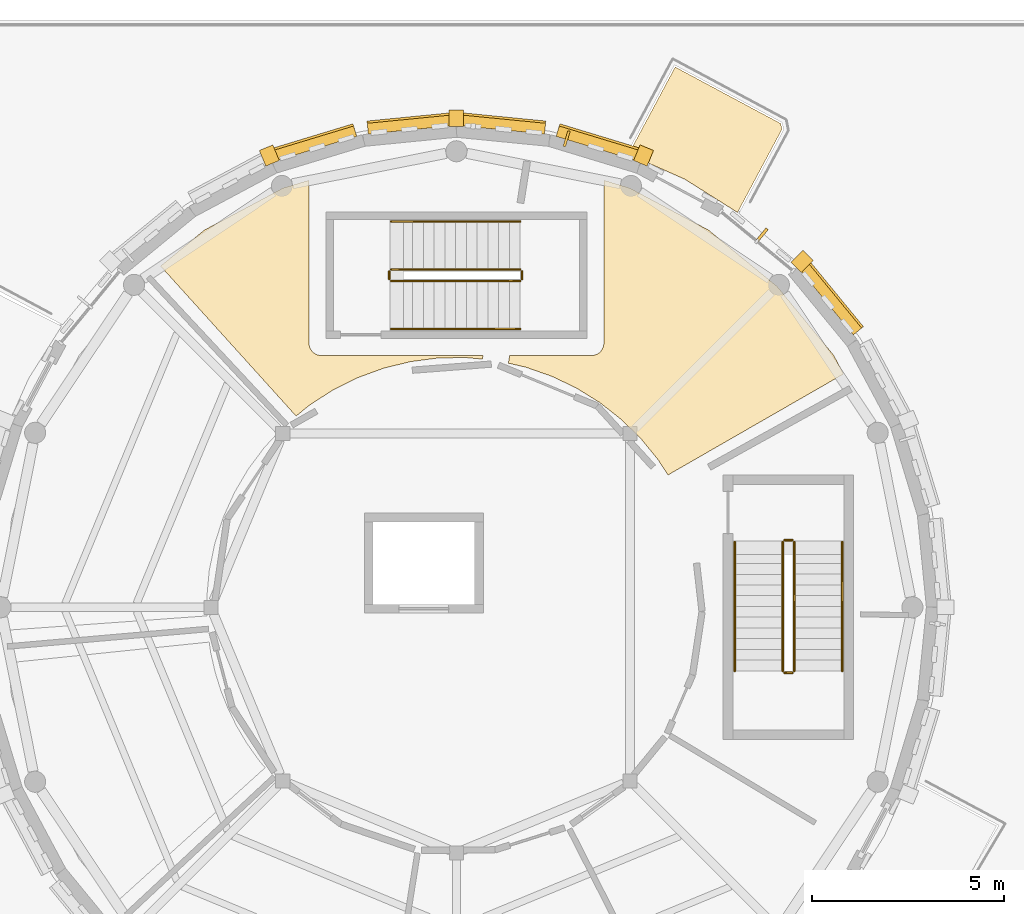
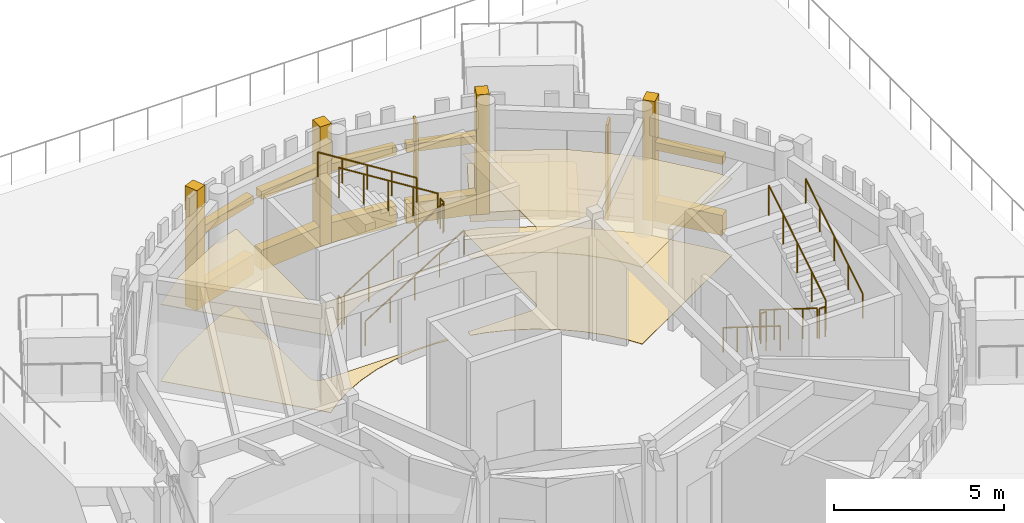
# One storey, part 93 of 94: 19 coverings, 12 railings, 2 shading devices.
"""IFC4 building model written with IfcOpenShell, lengths in metres."""

from ifc_helpers import new_model, si_unit, direction, frame, origin, origin_2d, place, context, subcontext, project, spatial, polyline, rectangle, circle, outline, extrude, material, layer, layer_set, type_object, element, save


model = new_model("IFC4")

# Units and contexts
model_context = context("Model", 3, precision=1e-05, world=origin(), true_north=direction((0.0, 1.0)))
body_context = subcontext(model_context, "Body", "Model", "MODEL_VIEW")
ifc_project = project(units=[si_unit("LENGTHUNIT", "METRE"), si_unit("AREAUNIT", "SQUARE_METRE"), si_unit("VOLUMEUNIT", "CUBIC_METRE"), si_unit("PLANEANGLEUNIT", "RADIAN"), si_unit("MASSUNIT", "GRAM", prefix="KILO")], contexts=[model_context])

# Site, building, storey
site_placement = place(None, origin())
site = spatial("IfcSite", under=ifc_project, at=site_placement, CompositionType="ELEMENT")
building_placement = place(site_placement, origin())
building = spatial("IfcBuilding", under=site, at=building_placement, Name="Aldenvaro Health Centre", CompositionType="ELEMENT")
storey_placement = place(building_placement, origin())
storey = spatial("IfcBuildingStorey", under=building, at=storey_placement, Name="L00", CompositionType="ELEMENT", Elevation=0.0)

# Coverings
ifc_material_1 = material(Name="Hygienic Sealed Gypsum Ceiling")
ifc_layer_1 = layer(ifc_material_1, 0.02490234375, Name="Hygienic Sealed Gypsum Ceiling")
ifc_layer_set_1 = layer_set([ifc_layer_1], Name="Hygienic Sealed Gypsum Ceiling")
covering_type_1 = type_object("IfcCoveringType", Name="COV-CLG-GYP25", PredefinedType="CEILING", material=ifc_layer_set_1)
covering_1_placement = place(storey_placement, frame((0.0, 0.0, 2.75)))
element("IfcCovering", 1, at=covering_1_placement, inside=storey, type_object=covering_type_1, Name="D2-L00-R01 Suspended Ceiling", PredefinedType="CEILING", context=body_context, shape_type="SweptSolid", body=[
    extrude(outline(polyline([(159.761962890625, 103.33203125), (159.7470703125, 103.35302734375), (159.31201171875, 103.884033203125), (159.2939453125, 103.903076171875), (158.803955078125, 104.384033203125), (158.783935546875, 104.40087890625), (158.2451171875, 104.824951171875), (158.222900390625, 104.840087890625), (157.639892578125, 105.201904296875), (157.616943359375, 105.215087890625), (156.998046875, 105.510986328125), (156.97412109375, 105.52099609375), (156.325927734375, 105.748046875), (156.301025390625, 105.756103515625), (155.85302734375, 105.85888671875), (155.888916015625, 106.06005859375), (158.02001953125, 106.06005859375), (158.031982421875, 106.06005859375), (158.0400390625, 106.06103515625), (158.06298828125, 106.06298828125), (158.071044921875, 106.06396484375), (158.093994140625, 106.069091796875), (158.10205078125, 106.071044921875), (158.1240234375, 106.076904296875), (158.131103515625, 106.080078125), (158.153076171875, 106.089111328125), (158.159912109375, 106.092041015625), (158.180908203125, 106.10400390625), (158.18798828125, 106.10791015625), (158.20703125, 106.12109375), (158.214111328125, 106.125), (158.23193359375, 106.139892578125), (158.238037109375, 106.14599609375), (158.25390625, 106.162109375), (158.260009765625, 106.16796875), (158.27490234375, 106.18603515625), (158.279052734375, 106.193115234375), (158.2919921875, 106.2119140625), (158.2958984375, 106.218994140625), (158.30810546875, 106.239990234375), (158.31103515625, 106.2470703125), (158.320068359375, 106.26904296875), (158.322998046875, 106.27587890625), (158.3291015625, 106.298095703125), (158.3310546875, 106.305908203125), (158.3359375, 106.3291015625), (158.3369140625, 106.3369140625), (158.339111328125, 106.360107421875), (158.340087890625, 106.367919921875), (158.340087890625, 106.3798828125), (158.340087890625, 110.6259765625), (159.02294921875, 110.4189453125), (161.06591796875, 109.326904296875), (162.85693359375, 107.85693359375), (164.326904296875, 106.06591796875), (164.587890625, 105.577880859375), (160.012939453125, 102.947021484375), (159.761962890625, 103.33203125)])), origin(), (0.0, 0.0, 1.0), 0.02490234375),
])
covering_2_placement = place(storey_placement, frame((0.0, 0.0, 2.75)))
element("IfcCovering", 2, at=covering_2_placement, inside=storey, type_object=covering_type_1, Name="D2-L00-R02 Suspended Ceiling", PredefinedType="CEILING", context=body_context, shape_type="SweptSolid", body=[
    extrude(outline(polyline([(154.719970703125, 106.006103515625), (154.694091796875, 106.007080078125), (154.008056640625, 105.990966796875), (153.98193359375, 105.989013671875), (153.301025390625, 105.89794921875), (153.27587890625, 105.89306640625), (152.60888671875, 105.72900390625), (152.583984375, 105.720947265625), (151.93994140625, 105.485107421875), (151.916015625, 105.47509765625), (151.301025390625, 105.1689453125), (151.278076171875, 105.156005859375), (150.699951171875, 104.785888671875), (150.678955078125, 104.77001953125), (150.322021484375, 104.48193359375), (146.7919921875, 108.388916015625), (147.93408203125, 109.326904296875), (149.97705078125, 110.4189453125), (150.659912109375, 110.6259765625), (150.659912109375, 106.3798828125), (150.659912109375, 106.367919921875), (150.660888671875, 106.360107421875), (150.6630859375, 106.3369140625), (150.6640625, 106.3291015625), (150.6689453125, 106.305908203125), (150.6708984375, 106.298095703125), (150.677001953125, 106.27587890625), (150.679931640625, 106.26904296875), (150.68896484375, 106.2470703125), (150.69189453125, 106.239990234375), (150.7041015625, 106.218994140625), (150.7080078125, 106.2119140625), (150.720947265625, 106.193115234375), (150.72509765625, 106.18603515625), (150.739990234375, 106.16796875), (150.74609375, 106.162109375), (150.761962890625, 106.14599609375), (150.76806640625, 106.139892578125), (150.785888671875, 106.125), (150.79296875, 106.12109375), (150.81201171875, 106.10791015625), (150.819091796875, 106.10400390625), (150.840087890625, 106.092041015625), (150.846923828125, 106.089111328125), (150.868896484375, 106.080078125), (150.8759765625, 106.076904296875), (150.89794921875, 106.071044921875), (150.906005859375, 106.069091796875), (150.928955078125, 106.06396484375), (150.93701171875, 106.06298828125), (150.9599609375, 106.06103515625), (150.968017578125, 106.06005859375), (150.97998046875, 106.06005859375), (155.19091796875, 106.06005859375), (155.177978515625, 105.966064453125), (154.719970703125, 106.006103515625)])), origin(), (0.0, 0.0, 1.0), 0.02490234375),
])
ifc_material_2 = material(Name="Honed Sonoran Buff Limestone", Category="masonry")
ifc_layer_2 = layer(ifc_material_2, 0.280029296875, Name="Honed Sonoran Buff Limestone", Category="masonry")
ifc_layer_set_2 = layer_set([ifc_layer_2], Name="Honed Sonoran Buff Limestone")
covering_type_2 = type_object("IfcCoveringType", Name="COV-CRN-STN", PredefinedType="CLADDING", material=ifc_layer_set_2)
covering_3_placement = place(storey_placement, frame((150.823974609375, 111.6201171875, 0.0), z_axis=(0.0, 0.0, 1.0), x_axis=(0.956892827403, 0.290441245116, 0.0)))
element("IfcCovering", 3, at=covering_3_placement, inside=storey, type_object=covering_type_2, Name="D2 L00 Rusticated Limestone Plinth 23.1", PredefinedType="CLADDING", context=body_context, shape_type="SweptSolid", body=[
    extrude(rectangle(XDim=2.15087890625, YDim=0.340087890625, at=origin_2d()), origin(), (0.0, 0.0, 1.0), 0.719970703125),
])
covering_4_placement = place(storey_placement, frame((150.83203125, 111.591064453125, 2.5498046875), z_axis=(0.0, 0.0, 1.0), x_axis=(0.956892827403, 0.290441245116, 0.0)))
element("IfcCovering", 4, at=covering_4_placement, inside=storey, type_object=covering_type_2, Name="D2 L00 Rusticated Limestone Plinth 23.2", PredefinedType="CLADDING", context=body_context, shape_type="SweptSolid", body=[
    extrude(rectangle(XDim=2.15087890625, YDim=0.280029296875, at=origin_2d()), origin(), (0.0, 0.0, 1.0), 0.280029296875),
])
covering_5_placement = place(storey_placement, frame((149.625, 111.27001953125, -0.00048828125), z_axis=(0.0, 0.0, 1.0), x_axis=(-0.382667560743, 0.923886106593, 0.0)))
element("IfcCovering", 5, at=covering_5_placement, inside=storey, type_object=covering_type_2, Name="D2 L00 Engaged Classical Limestone Pilaster 12", PredefinedType="CLADDING", context=body_context, shape_type="SweptSolid", body=[
    extrude(rectangle(XDim=0.43994140625, YDim=0.3798828125, at=origin_2d()), origin(), (0.0, 0.0, 1.0), 4.304931640625),
])
covering_6_placement = place(storey_placement, frame((153.259033203125, 112.10400390625, 0.0), z_axis=(0.0, 0.0, 1.0), x_axis=(0.995194782414, 0.097914988926, 0.0)))
element("IfcCovering", 6, at=covering_6_placement, inside=storey, type_object=covering_type_2, Name="D2 L00 Rusticated Limestone Plinth 24.1", PredefinedType="CLADDING", context=body_context, shape_type="SweptSolid", body=[
    extrude(rectangle(XDim=2.15087890625, YDim=0.340087890625, at=origin_2d()), origin(), (0.0, 0.0, 1.0), 0.719970703125),
])
covering_7_placement = place(storey_placement, frame((153.261962890625, 112.074951171875, 2.5498046875), z_axis=(0.0, 0.0, 1.0), x_axis=(0.995194782414, 0.097914988926, 0.0)))
element("IfcCovering", 7, at=covering_7_placement, inside=storey, type_object=covering_type_2, Name="D2 L00 Rusticated Limestone Plinth 24.2", PredefinedType="CLADDING", context=body_context, shape_type="SweptSolid", body=[
    extrude(rectangle(XDim=2.15087890625, YDim=0.280029296875, at=origin_2d()), origin(), (0.0, 0.0, 1.0), 0.280029296875),
])
covering_8_placement = place(storey_placement, frame((155.740966796875, 112.10400390625, 0.0), z_axis=(0.0, 0.0, 1.0), x_axis=(0.995194782414, -0.097914988926, 0.0)))
element("IfcCovering", 8, at=covering_8_placement, inside=storey, type_object=covering_type_2, Name="D2 L00 Rusticated Limestone Plinth 25.1", PredefinedType="CLADDING", context=body_context, shape_type="SweptSolid", body=[
    extrude(rectangle(XDim=2.15087890625, YDim=0.340087890625, at=origin_2d()), origin(), (0.0, 0.0, 1.0), 0.719970703125),
])
covering_9_placement = place(storey_placement, frame((155.738037109375, 112.074951171875, 2.5498046875), z_axis=(0.0, 0.0, 1.0), x_axis=(0.995194782414, -0.097914988926, 0.0)))
element("IfcCovering", 9, at=covering_9_placement, inside=storey, type_object=covering_type_2, Name="D2 L00 Rusticated Limestone Plinth 25.2", PredefinedType="CLADDING", context=body_context, shape_type="SweptSolid", body=[
    extrude(rectangle(XDim=2.15087890625, YDim=0.280029296875, at=origin_2d()), origin(), (0.0, 0.0, 1.0), 0.280029296875),
])
covering_10_placement = place(storey_placement, frame((154.5, 112.239990234375, -0.00048828125), z_axis=(0.0, 0.0, 1.0), x_axis=(0.0, 1.0, 0.0)))
element("IfcCovering", 10, at=covering_10_placement, inside=storey, type_object=covering_type_2, Name="D2 L00 Engaged Classical Limestone Pilaster 13", PredefinedType="CLADDING", context=body_context, shape_type="SweptSolid", body=[
    extrude(rectangle(XDim=0.43994140625, YDim=0.3798828125, at=origin_2d()), origin(), (0.0, 0.0, 1.0), 4.304931640625),
])
covering_11_placement = place(storey_placement, frame((158.176025390625, 111.6201171875, 0.0), z_axis=(0.0, 0.0, 1.0), x_axis=(0.956892827403, -0.290441245116, 0.0)))
element("IfcCovering", 11, at=covering_11_placement, inside=storey, type_object=covering_type_2, Name="D2 L00 Rusticated Limestone Plinth 26.1", PredefinedType="CLADDING", context=body_context, shape_type="SweptSolid", body=[
    extrude(rectangle(XDim=2.15087890625, YDim=0.340087890625, at=origin_2d()), origin(), (0.0, 0.0, 1.0), 0.719970703125),
])
covering_12_placement = place(storey_placement, frame((158.16796875, 111.591064453125, 2.5498046875), z_axis=(0.0, 0.0, 1.0), x_axis=(0.956892827403, -0.290441245116, 0.0)))
element("IfcCovering", 12, at=covering_12_placement, inside=storey, type_object=covering_type_2, Name="D2 L00 Rusticated Limestone Plinth 26.2", PredefinedType="CLADDING", context=body_context, shape_type="SweptSolid", body=[
    extrude(rectangle(XDim=2.15087890625, YDim=0.280029296875, at=origin_2d()), origin(), (0.0, 0.0, 1.0), 0.280029296875),
])
covering_13_placement = place(storey_placement, frame((159.375, 111.27001953125, -0.00048828125), z_axis=(0.0, 0.0, 1.0), x_axis=(0.382667560743, 0.923886106593, 0.0)))
element("IfcCovering", 13, at=covering_13_placement, inside=storey, type_object=covering_type_2, Name="D2 L00 Engaged Classical Limestone Pilaster 14", PredefinedType="CLADDING", context=body_context, shape_type="SweptSolid", body=[
    extrude(rectangle(XDim=0.43994140625, YDim=0.3798828125, at=origin_2d()), origin(), (0.0, 0.0, 1.0), 4.304931640625),
])
covering_14_placement = place(storey_placement, frame((164.2900390625, 107.534912109375, 0.0), z_axis=(0.0, 0.0, 1.0), x_axis=(0.634379653268, -0.773021639749, 0.0)))
element("IfcCovering", 14, at=covering_14_placement, inside=storey, type_object=covering_type_2, Name="D2 L00 Rusticated Limestone Plinth 29.1", PredefinedType="CLADDING", context=body_context, shape_type="SweptSolid", body=[
    extrude(rectangle(XDim=2.15087890625, YDim=0.340087890625, at=origin_2d()), origin(), (0.0, 0.0, 1.0), 0.719970703125),
])
covering_15_placement = place(storey_placement, frame((164.26708984375, 107.51611328125, 2.5498046875), z_axis=(0.0, 0.0, 1.0), x_axis=(0.634379653268, -0.773021639749, 0.0)))
element("IfcCovering", 15, at=covering_15_placement, inside=storey, type_object=covering_type_2, Name="D2 L00 Rusticated Limestone Plinth 29.2", PredefinedType="CLADDING", context=body_context, shape_type="SweptSolid", body=[
    extrude(rectangle(XDim=2.15087890625, YDim=0.280029296875, at=origin_2d()), origin(), (0.0, 0.0, 1.0), 0.280029296875),
])
covering_16_placement = place(storey_placement, frame((163.509033203125, 108.509033203125, -0.00048828125), z_axis=(0.0, 0.0, 1.0), x_axis=(0.707106781187, 0.707106781187, 0.0)))
element("IfcCovering", 16, at=covering_16_placement, inside=storey, type_object=covering_type_2, Name="D2 L00 Engaged Classical Limestone Pilaster 15", PredefinedType="CLADDING", context=body_context, shape_type="SweptSolid", body=[
    extrude(rectangle(XDim=0.43994140625, YDim=0.3798828125, at=origin_2d()), origin(), (0.0, 0.0, 1.0), 4.304931640625),
])
ifc_material_3 = material(Name="Seamless Homogeneous Sheet Vinyl")
ifc_layer_3 = layer(ifc_material_3, 0.013916015625, Name="Seamless Homogeneous Sheet Vinyl")
ifc_layer_set_3 = layer_set([ifc_layer_3], Name="Seamless Homogeneous Sheet Vinyl")
covering_type_3 = type_object("IfcCoveringType", Name="COV-FLR-VNL14", PredefinedType="FLOORING", material=ifc_layer_set_3)
covering_17_placement = place(storey_placement, origin())
element("IfcCovering", 17, at=covering_17_placement, inside=storey, type_object=covering_type_3, Name="D2-L00-R01 Flooring", PredefinedType="FLOORING", context=body_context, shape_type="SweptSolid", body=[
    extrude(outline(polyline([(159.761962890625, 103.33203125), (159.7470703125, 103.35302734375), (159.31201171875, 103.884033203125), (159.2939453125, 103.903076171875), (158.803955078125, 104.384033203125), (158.783935546875, 104.40087890625), (158.2451171875, 104.824951171875), (158.222900390625, 104.840087890625), (157.639892578125, 105.201904296875), (157.616943359375, 105.215087890625), (156.998046875, 105.510986328125), (156.97412109375, 105.52099609375), (156.325927734375, 105.748046875), (156.301025390625, 105.756103515625), (155.85302734375, 105.85888671875), (155.888916015625, 106.06005859375), (158.02001953125, 106.06005859375), (158.031982421875, 106.06005859375), (158.0400390625, 106.06103515625), (158.06298828125, 106.06298828125), (158.071044921875, 106.06396484375), (158.093994140625, 106.069091796875), (158.10205078125, 106.071044921875), (158.1240234375, 106.076904296875), (158.131103515625, 106.080078125), (158.153076171875, 106.089111328125), (158.159912109375, 106.092041015625), (158.180908203125, 106.10400390625), (158.18798828125, 106.10791015625), (158.20703125, 106.12109375), (158.214111328125, 106.125), (158.23193359375, 106.139892578125), (158.238037109375, 106.14599609375), (158.25390625, 106.162109375), (158.260009765625, 106.16796875), (158.27490234375, 106.18603515625), (158.279052734375, 106.193115234375), (158.2919921875, 106.2119140625), (158.2958984375, 106.218994140625), (158.30810546875, 106.239990234375), (158.31103515625, 106.2470703125), (158.320068359375, 106.26904296875), (158.322998046875, 106.27587890625), (158.3291015625, 106.298095703125), (158.3310546875, 106.305908203125), (158.3359375, 106.3291015625), (158.3369140625, 106.3369140625), (158.339111328125, 106.360107421875), (158.340087890625, 106.367919921875), (158.340087890625, 106.3798828125), (158.340087890625, 110.6259765625), (159.02294921875, 110.4189453125), (161.06591796875, 109.326904296875), (162.85693359375, 107.85693359375), (164.326904296875, 106.06591796875), (164.587890625, 105.577880859375), (160.012939453125, 102.947021484375), (159.761962890625, 103.33203125)])), origin(), (0.0, 0.0, 1.0), 0.013916015625),
])
covering_18_placement = place(storey_placement, origin())
element("IfcCovering", 18, at=covering_18_placement, inside=storey, type_object=covering_type_3, Name="D2-L00-R02 Flooring", PredefinedType="FLOORING", context=body_context, shape_type="SweptSolid", body=[
    extrude(outline(polyline([(154.719970703125, 106.006103515625), (154.694091796875, 106.007080078125), (154.008056640625, 105.990966796875), (153.98193359375, 105.989013671875), (153.301025390625, 105.89794921875), (153.27587890625, 105.89306640625), (152.60888671875, 105.72900390625), (152.583984375, 105.720947265625), (151.93994140625, 105.485107421875), (151.916015625, 105.47509765625), (151.301025390625, 105.1689453125), (151.278076171875, 105.156005859375), (150.699951171875, 104.785888671875), (150.678955078125, 104.77001953125), (150.322021484375, 104.48193359375), (146.7919921875, 108.388916015625), (147.93408203125, 109.326904296875), (149.97705078125, 110.4189453125), (150.659912109375, 110.6259765625), (150.659912109375, 106.3798828125), (150.659912109375, 106.367919921875), (150.660888671875, 106.360107421875), (150.6630859375, 106.3369140625), (150.6640625, 106.3291015625), (150.6689453125, 106.305908203125), (150.6708984375, 106.298095703125), (150.677001953125, 106.27587890625), (150.679931640625, 106.26904296875), (150.68896484375, 106.2470703125), (150.69189453125, 106.239990234375), (150.7041015625, 106.218994140625), (150.7080078125, 106.2119140625), (150.720947265625, 106.193115234375), (150.72509765625, 106.18603515625), (150.739990234375, 106.16796875), (150.74609375, 106.162109375), (150.761962890625, 106.14599609375), (150.76806640625, 106.139892578125), (150.785888671875, 106.125), (150.79296875, 106.12109375), (150.81201171875, 106.10791015625), (150.819091796875, 106.10400390625), (150.840087890625, 106.092041015625), (150.846923828125, 106.089111328125), (150.868896484375, 106.080078125), (150.8759765625, 106.076904296875), (150.89794921875, 106.071044921875), (150.906005859375, 106.069091796875), (150.928955078125, 106.06396484375), (150.93701171875, 106.06298828125), (150.9599609375, 106.06103515625), (150.968017578125, 106.06005859375), (150.97998046875, 106.06005859375), (155.19091796875, 106.06005859375), (155.177978515625, 105.966064453125), (154.719970703125, 106.006103515625)])), origin(), (0.0, 0.0, 1.0), 0.013916015625),
])
ifc_material_4 = material(Name="Honed Sonoran Buff Travertine", Category="masonry")
ifc_layer_4 = layer(ifc_material_4, 0.320068359375, Name="Honed Sonoran Buff Travertine", Category="masonry")
ifc_layer_set_4 = layer_set([ifc_layer_4], Name="Honed Sonoran Buff Travertine")
covering_type_4 = type_object("IfcCoveringType", Name="COV-POD-320", PredefinedType="FLOORING", material=ifc_layer_set_4)
covering_19_placement = place(storey_placement, frame((0.0, 0.0, -0.320068359375)))
element("IfcCovering", 19, at=covering_19_placement, inside=storey, type_object=covering_type_4, Name="South Street Entrance Stylobate Forecourt Section 25", PredefinedType="FLOORING", context=body_context, shape_type="SweptSolid", body=[
    extrude(outline(polyline([(160.198974609375, 113.575927734375), (162.948974609375, 112.10205078125), (162.97998046875, 111.947998046875), (161.823974609375, 109.785888671875), (160.4580078125, 110.64697265625), (158.98388671875, 111.303955078125), (160.198974609375, 113.575927734375)])), origin(), (0.0, 0.0, 1.0), 0.320068359375),
])

# Railings
ifc_material_5 = material(Name="Painted Architectural Steel", Category="steel")
railing_type_1 = type_object("IfcRailingType", Name="RL-BAL-INT", PredefinedType="BALUSTRADE", material=ifc_material_5)
railing_1_placement = place(storey_placement, frame((163.0, 101.199951171875, 0.175048828125)))
element("IfcRailing", 20, at=railing_1_placement, inside=storey, type_object=railing_type_1, Name="L00 ST-03 stair guard 1", PredefinedType="BALUSTRADE", context=body_context, shape_type="SweptSolid", body=[
    extrude(circle(Radius=0.02392578125, at=origin_2d()), frame((0.0, 0.0, 1.076171875), z_axis=(0.0, -0.848005227453, 0.529987862325), x_axis=(1.0, 0.0, 0.0)), (0.0, 0.0, 1.0), 3.962158203125),
    extrude(circle(Radius=0.02099609375, at=origin_2d()), origin(), (0.0, 0.0, 1.0), 1.052001953125),
    extrude(circle(Radius=0.02099609375, at=origin_2d()), frame((0.0, -0.83984375, 0.52490234375)), (0.0, 0.0, 1.0), 1.052001953125),
    extrude(circle(Radius=0.02099609375, at=origin_2d()), frame((0.0, -1.679931640625, 1.0498046875)), (0.0, 0.0, 1.0), 1.052001953125),
    extrude(circle(Radius=0.02099609375, at=origin_2d()), frame((0.0, -2.52001953125, 1.574951171875)), (0.0, 0.0, 1.0), 1.052001953125),
    extrude(circle(Radius=0.02099609375, at=origin_2d()), frame((0.0, -3.35986328125, 2.099853515625)), (0.0, 0.0, 1.0), 1.052001953125),
])
railing_2_placement = place(storey_placement, frame((163.050048828125, 97.7900390625, 2.27490234375)))
element("IfcRailing", 21, at=railing_2_placement, inside=storey, type_object=railing_type_1, Name="L00 ST-03 stair guard 2", PredefinedType="BALUSTRADE", context=body_context, shape_type="SweptSolid", body=[
    extrude(circle(Radius=0.02392578125, at=origin_2d()), frame((0.0, 0.0, 1.076171875), z_axis=(1.0, 0.0, 0.0), x_axis=(0.0, 1.0, 0.0)), (0.0, 0.0, 1.0), 0.199951171875),
    extrude(circle(Radius=0.02099609375, at=origin_2d()), origin(), (0.0, 0.0, 1.0), 1.052001953125),
    extrude(circle(Radius=0.02099609375, at=origin_2d()), frame((0.199951171875, 0.0, 0.0)), (0.0, 0.0, 1.0), 1.052001953125),
])
railing_3_placement = place(storey_placement, frame((163.300048828125, 97.840087890625, 2.449951171875)))
element("IfcRailing", 22, at=railing_3_placement, inside=storey, type_object=railing_type_1, Name="L00 ST-03 stair guard 3", PredefinedType="BALUSTRADE", context=body_context, shape_type="SweptSolid", body=[
    extrude(circle(Radius=0.02392578125, at=origin_2d()), frame((0.0, 0.0, 1.076171875), z_axis=(0.0, 0.847977533471, 0.530032171408), x_axis=(-1.0, 0.0, 0.0)), (0.0, 0.0, 1.0), 3.962158203125),
    extrude(circle(Radius=0.02099609375, at=origin_2d()), origin(), (0.0, 0.0, 1.0), 1.052001953125),
    extrude(circle(Radius=0.02099609375, at=origin_2d()), frame((0.0, 0.83984375, 0.52490234375)), (0.0, 0.0, 1.0), 1.052001953125),
    extrude(circle(Radius=0.02099609375, at=origin_2d()), frame((0.0, 1.679931640625, 1.050048828125)), (0.0, 0.0, 1.0), 1.052001953125),
    extrude(circle(Radius=0.02099609375, at=origin_2d()), frame((0.0, 2.52001953125, 1.5751953125)), (0.0, 0.0, 1.0), 1.052001953125),
    extrude(circle(Radius=0.02099609375, at=origin_2d()), frame((0.0, 3.35986328125, 2.10009765625)), (0.0, 0.0, 1.0), 1.052001953125),
])
railing_4_placement = place(storey_placement, frame((163.050048828125, 101.25, 0.0)))
element("IfcRailing", 23, at=railing_4_placement, inside=storey, type_object=railing_type_1, Name="L00 ST-03 stair guard 4", PredefinedType="BALUSTRADE", context=body_context, shape_type="SweptSolid", body=[
    extrude(circle(Radius=0.02392578125, at=origin_2d()), frame((0.0, 0.0, 1.076171875), z_axis=(1.0, 0.0, 0.0), x_axis=(0.0, 1.0, 0.0)), (0.0, 0.0, 1.0), 0.199951171875),
    extrude(circle(Radius=0.02099609375, at=origin_2d()), origin(), (0.0, 0.0, 1.0), 1.052001953125),
    extrude(circle(Radius=0.02099609375, at=origin_2d()), frame((0.199951171875, 0.0, 0.0)), (0.0, 0.0, 1.0), 1.052001953125),
])
railing_5_placement = place(storey_placement, frame((152.800048828125, 108.0, 0.175048828125)))
element("IfcRailing", 24, at=railing_5_placement, inside=storey, type_object=railing_type_1, Name="L00 ST-04 stair guard 1", PredefinedType="BALUSTRADE", context=body_context, shape_type="SweptSolid", body=[
    extrude(circle(Radius=0.02392578125, at=origin_2d()), frame((0.0, 0.0, 1.076171875), z_axis=(0.848005227453, 0.0, 0.529987862325), x_axis=(0.0, 1.0, 0.0)), (0.0, 0.0, 1.0), 3.962158203125),
    extrude(circle(Radius=0.02099609375, at=origin_2d()), origin(), (0.0, 0.0, 1.0), 1.052001953125),
    extrude(circle(Radius=0.02099609375, at=origin_2d()), frame((0.83984375, 0.0, 0.52490234375)), (0.0, 0.0, 1.0), 1.052001953125),
    extrude(circle(Radius=0.02099609375, at=origin_2d()), frame((1.679931640625, 0.0, 1.0498046875)), (0.0, 0.0, 1.0), 1.052001953125),
    extrude(circle(Radius=0.02099609375, at=origin_2d()), frame((2.52001953125, 0.0, 1.574951171875)), (0.0, 0.0, 1.0), 1.052001953125),
    extrude(circle(Radius=0.02099609375, at=origin_2d()), frame((3.35986328125, 0.0, 2.099853515625)), (0.0, 0.0, 1.0), 1.052001953125),
])
railing_6_placement = place(storey_placement, frame((156.2099609375, 108.050048828125, 2.27490234375)))
element("IfcRailing", 25, at=railing_6_placement, inside=storey, type_object=railing_type_1, Name="L00 ST-04 stair guard 2", PredefinedType="BALUSTRADE", context=body_context, shape_type="SweptSolid", body=[
    extrude(circle(Radius=0.02392578125, at=origin_2d()), frame((0.0, 0.0, 1.076171875), z_axis=(0.0, 1.0, 0.0), x_axis=(-1.0, 0.0, 0.0)), (0.0, 0.0, 1.0), 0.199951171875),
    extrude(circle(Radius=0.02099609375, at=origin_2d()), origin(), (0.0, 0.0, 1.0), 1.052001953125),
    extrude(circle(Radius=0.02099609375, at=origin_2d()), frame((0.0, 0.199951171875, 0.0)), (0.0, 0.0, 1.0), 1.052001953125),
])
railing_7_placement = place(storey_placement, frame((156.159912109375, 108.300048828125, 2.449951171875)))
element("IfcRailing", 26, at=railing_7_placement, inside=storey, type_object=railing_type_1, Name="L00 ST-04 stair guard 3", PredefinedType="BALUSTRADE", context=body_context, shape_type="SweptSolid", body=[
    extrude(circle(Radius=0.02392578125, at=origin_2d()), frame((0.0, 0.0, 1.076171875), z_axis=(-0.847977533471, 0.0, 0.530032171408), x_axis=(0.0, -1.0, 0.0)), (0.0, 0.0, 1.0), 3.962158203125),
    extrude(circle(Radius=0.02099609375, at=origin_2d()), origin(), (0.0, 0.0, 1.0), 1.052001953125),
    extrude(circle(Radius=0.02099609375, at=origin_2d()), frame((-0.83984375, 0.0, 0.52490234375)), (0.0, 0.0, 1.0), 1.052001953125),
    extrude(circle(Radius=0.02099609375, at=origin_2d()), frame((-1.679931640625, 0.0, 1.050048828125)), (0.0, 0.0, 1.0), 1.052001953125),
    extrude(circle(Radius=0.02099609375, at=origin_2d()), frame((-2.52001953125, 0.0, 1.5751953125)), (0.0, 0.0, 1.0), 1.052001953125),
    extrude(circle(Radius=0.02099609375, at=origin_2d()), frame((-3.35986328125, 0.0, 2.10009765625)), (0.0, 0.0, 1.0), 1.052001953125),
])
railing_8_placement = place(storey_placement, frame((152.75, 108.050048828125, 0.0)))
element("IfcRailing", 27, at=railing_8_placement, inside=storey, type_object=railing_type_1, Name="L00 ST-04 stair guard 4", PredefinedType="BALUSTRADE", context=body_context, shape_type="SweptSolid", body=[
    extrude(circle(Radius=0.02392578125, at=origin_2d()), frame((0.0, 0.0, 1.076171875), z_axis=(0.0, 1.0, 0.0), x_axis=(-1.0, 0.0, 0.0)), (0.0, 0.0, 1.0), 0.199951171875),
    extrude(circle(Radius=0.02099609375, at=origin_2d()), origin(), (0.0, 0.0, 1.0), 1.052001953125),
    extrude(circle(Radius=0.02099609375, at=origin_2d()), frame((0.0, 0.199951171875, 0.0)), (0.0, 0.0, 1.0), 1.052001953125),
])
railing_type_2 = type_object("IfcRailingType", Name="RL-HND-INT", PredefinedType="HANDRAIL", material=ifc_material_5)
railing_9_placement = place(storey_placement, frame((161.75, 101.199951171875, 0.175048828125)))
element("IfcRailing", 28, at=railing_9_placement, inside=storey, type_object=railing_type_2, Name="L00 ST-03 stair handrail 1", PredefinedType="HANDRAIL", context=body_context, shape_type="SweptSolid", body=[
    extrude(circle(Radius=0.02392578125, at=origin_2d()), frame((0.0, 0.0, 0.8759765625), z_axis=(0.0, -0.848005227453, 0.529987862325), x_axis=(1.0, 0.0, 0.0)), (0.0, 0.0, 1.0), 3.962158203125),
    extrude(circle(Radius=0.02099609375, at=origin_2d()), origin(), (0.0, 0.0, 1.0), 0.851806640625),
    extrude(circle(Radius=0.02099609375, at=origin_2d()), frame((0.0, -0.83984375, 0.52490234375)), (0.0, 0.0, 1.0), 0.851806640625),
    extrude(circle(Radius=0.02099609375, at=origin_2d()), frame((0.0, -1.679931640625, 1.0498046875)), (0.0, 0.0, 1.0), 0.851806640625),
    extrude(circle(Radius=0.02099609375, at=origin_2d()), frame((0.0, -2.52001953125, 1.574951171875)), (0.0, 0.0, 1.0), 0.851806640625),
    extrude(circle(Radius=0.02099609375, at=origin_2d()), frame((0.0, -3.35986328125, 2.099853515625)), (0.0, 0.0, 1.0), 0.851806640625),
])
railing_10_placement = place(storey_placement, frame((164.550048828125, 97.840087890625, 2.449951171875)))
element("IfcRailing", 29, at=railing_10_placement, inside=storey, type_object=railing_type_2, Name="L00 ST-03 stair handrail 2", PredefinedType="HANDRAIL", context=body_context, shape_type="SweptSolid", body=[
    extrude(circle(Radius=0.02392578125, at=origin_2d()), frame((0.0, 0.0, 0.8759765625), z_axis=(0.0, 0.847977533471, 0.530032171408), x_axis=(-1.0, 0.0, 0.0)), (0.0, 0.0, 1.0), 3.962158203125),
    extrude(circle(Radius=0.02099609375, at=origin_2d()), origin(), (0.0, 0.0, 1.0), 0.851806640625),
    extrude(circle(Radius=0.02099609375, at=origin_2d()), frame((0.0, 0.83984375, 0.52490234375)), (0.0, 0.0, 1.0), 0.851806640625),
    extrude(circle(Radius=0.02099609375, at=origin_2d()), frame((0.0, 1.679931640625, 1.050048828125)), (0.0, 0.0, 1.0), 0.851806640625),
    extrude(circle(Radius=0.02099609375, at=origin_2d()), frame((0.0, 2.52001953125, 1.5751953125)), (0.0, 0.0, 1.0), 0.851806640625),
    extrude(circle(Radius=0.02099609375, at=origin_2d()), frame((0.0, 3.35986328125, 2.10009765625)), (0.0, 0.0, 1.0), 0.851806640625),
])
railing_11_placement = place(storey_placement, frame((152.800048828125, 106.75, 0.175048828125)))
element("IfcRailing", 30, at=railing_11_placement, inside=storey, type_object=railing_type_2, Name="L00 ST-04 stair handrail 1", PredefinedType="HANDRAIL", context=body_context, shape_type="SweptSolid", body=[
    extrude(circle(Radius=0.02392578125, at=origin_2d()), frame((0.0, 0.0, 0.8759765625), z_axis=(0.848005227453, 0.0, 0.529987862325), x_axis=(0.0, 1.0, 0.0)), (0.0, 0.0, 1.0), 3.962158203125),
    extrude(circle(Radius=0.02099609375, at=origin_2d()), origin(), (0.0, 0.0, 1.0), 0.851806640625),
    extrude(circle(Radius=0.02099609375, at=origin_2d()), frame((0.83984375, 0.0, 0.52490234375)), (0.0, 0.0, 1.0), 0.851806640625),
    extrude(circle(Radius=0.02099609375, at=origin_2d()), frame((1.679931640625, 0.0, 1.0498046875)), (0.0, 0.0, 1.0), 0.851806640625),
    extrude(circle(Radius=0.02099609375, at=origin_2d()), frame((2.52001953125, 0.0, 1.574951171875)), (0.0, 0.0, 1.0), 0.851806640625),
    extrude(circle(Radius=0.02099609375, at=origin_2d()), frame((3.35986328125, 0.0, 2.099853515625)), (0.0, 0.0, 1.0), 0.851806640625),
])
railing_12_placement = place(storey_placement, frame((156.159912109375, 109.550048828125, 2.449951171875)))
element("IfcRailing", 31, at=railing_12_placement, inside=storey, type_object=railing_type_2, Name="L00 ST-04 stair handrail 2", PredefinedType="HANDRAIL", context=body_context, shape_type="SweptSolid", body=[
    extrude(circle(Radius=0.02392578125, at=origin_2d()), frame((0.0, 0.0, 0.8759765625), z_axis=(-0.847977533471, 0.0, 0.530032171408), x_axis=(0.0, -1.0, 0.0)), (0.0, 0.0, 1.0), 3.962158203125),
    extrude(circle(Radius=0.02099609375, at=origin_2d()), origin(), (0.0, 0.0, 1.0), 0.851806640625),
    extrude(circle(Radius=0.02099609375, at=origin_2d()), frame((-0.83984375, 0.0, 0.52490234375)), (0.0, 0.0, 1.0), 0.851806640625),
    extrude(circle(Radius=0.02099609375, at=origin_2d()), frame((-1.679931640625, 0.0, 1.050048828125)), (0.0, 0.0, 1.0), 0.851806640625),
    extrude(circle(Radius=0.02099609375, at=origin_2d()), frame((-2.52001953125, 0.0, 1.5751953125)), (0.0, 0.0, 1.0), 0.851806640625),
    extrude(circle(Radius=0.02099609375, at=origin_2d()), frame((-3.35986328125, 0.0, 2.10009765625)), (0.0, 0.0, 1.0), 0.851806640625),
])

# Shading devices
ifc_material_6 = material(Name="Douglas Fir Exterior Glulam GL28h", Category="wood")
shading_device_type_1 = type_object("IfcShadingDeviceType", Name="SHD-FIN-340", PredefinedType="USERDEFINED", material=ifc_material_6)
shading_device_1_placement = place(storey_placement, frame((162.4619140625, 109.200927734375, -0.02001953125), z_axis=(0.0, 0.0, 1.0), x_axis=(0.773021639749, -0.634379653268, 0.0)))
element("IfcShadingDevice", 32, at=shading_device_1_placement, inside=storey, type_object=shading_device_type_1, Name="D2 L00 vertical timber fin 28.0", ObjectType="FIN", PredefinedType="USERDEFINED", context=body_context, shape_type="SweptSolid", body=[
    extrude(rectangle(XDim=0.074951171875, YDim=0.419921875, at=origin_2d()), origin(), (0.0, 0.0, 1.0), 3.39990234375),
])
shading_device_type_2 = type_object("IfcShadingDeviceType", Name="SHD-FIN-400", PredefinedType="USERDEFINED", material=ifc_material_6)
shading_device_2_placement = place(storey_placement, frame((157.3720703125, 111.70703125, -0.0205078125), z_axis=(0.0, 0.0, 1.0), x_axis=(0.956892827403, -0.290441245116, 0.0)))
element("IfcShadingDevice", 33, at=shading_device_2_placement, inside=storey, type_object=shading_device_type_2, Name="D2 L00 Douglas fir fin 26.1", ObjectType="FIN", PredefinedType="USERDEFINED", context=body_context, shape_type="SweptSolid", body=[
    extrude(rectangle(XDim=0.06494140625, YDim=0.419921875, at=origin_2d()), origin(), (0.0, 0.0, 1.0), 3.698974609375),
])

save(model, "model.ifc")
